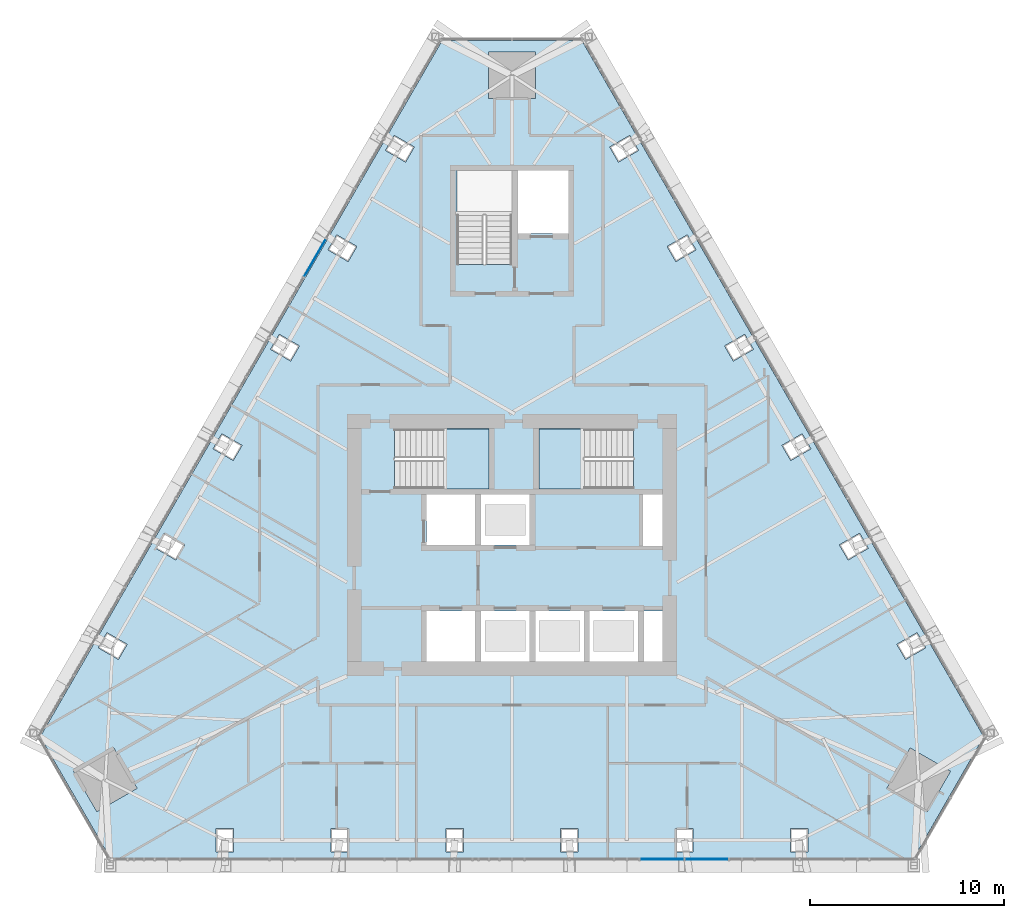
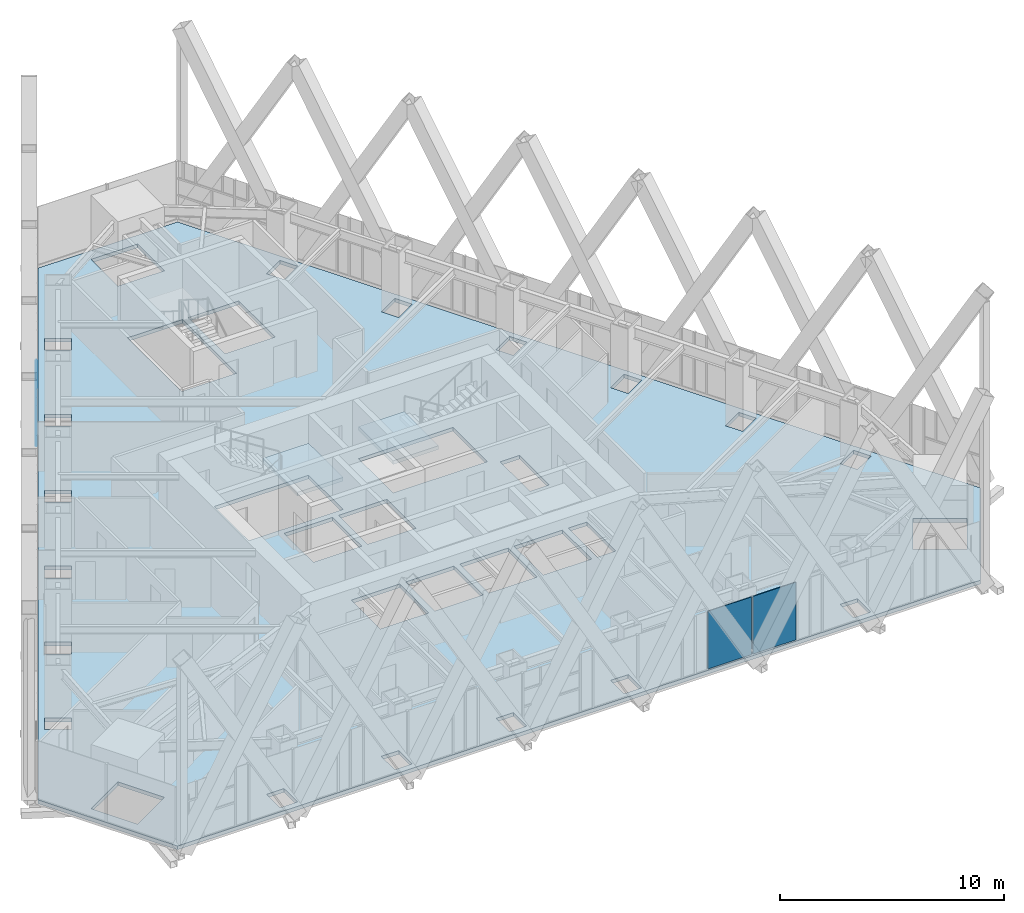
# One storey, part 13 of 23: 3 plates, 3 slabs, 4 elements without a shape of their own.
"""IFC4 building model written with IfcOpenShell, lengths in metres."""

from ifc_helpers import new_model, si_unit, direction, frame, origin, place, context, subcontext, project, spatial, polyline, outline, extrude, material, layer, layer_set, type_object, element, aggregate, save


model = new_model("IFC4")

# Units and contexts
model_context = context("Model", 3, precision=1e-05, world=origin(), true_north=direction((0.0, 1.0)))
body_context = subcontext(model_context, "Body", "Model", "MODEL_VIEW")
ifc_project = project(units=[si_unit("LENGTHUNIT", "METRE"), si_unit("AREAUNIT", "SQUARE_METRE"), si_unit("VOLUMEUNIT", "CUBIC_METRE"), si_unit("PLANEANGLEUNIT", "RADIAN"), si_unit("MASSUNIT", "GRAM", prefix="KILO")], contexts=[model_context])

# Site, building, storey
site_placement = place(None, origin())
site = spatial("IfcSite", under=ifc_project, at=site_placement, CompositionType="ELEMENT")
building_placement = place(site_placement, origin())
building = spatial("IfcBuilding", under=site, at=building_placement, Name="Firuza Gate Tower and Library", CompositionType="ELEMENT")
storey_placement = place(building_placement, frame((0.0, 0.0, 312.60009765625)))
storey = spatial("IfcBuildingStorey", under=building, at=storey_placement, Name="L76", CompositionType="ELEMENT", Elevation=312.60009765625)

# Slab
ifc_material_1 = material(Name="Concrete C40/50", Category="concrete")
ifc_layer_1 = layer(ifc_material_1, 0.199951171875)
ifc_layer_set_1 = layer_set([ifc_layer_1], Name="Composite floor slab 200 C40/50")
slab_type_1 = type_object("IfcSlabType", Name="Composite floor slab 200 C40/50", PredefinedType="FLOOR", material=ifc_layer_set_1)
slab_1_placement = place(storey_placement, frame((0.0, 0.0, -0.2001953125)))
element("IfcSlab", 1, at=slab_1_placement, inside=storey, type_object=slab_type_1, Name="Floor slab L76", PredefinedType="FLOOR", context=body_context, shape_type="SweptSolid", body=[
    extrude(outline(polyline([(50.679931640625, 65.11572265625), (54.280029296875, 58.88037109375), (95.719970703125, 58.88037109375), (99.320068359375, 65.11572265625), (78.60009765625, 101.00390625), (71.39990234375, 101.00390625), (50.679931640625, 65.11572265625)]), holes=[polyline([(59.75, 59.180419921875), (59.75, 60.38037109375), (60.64990234375, 60.38037109375), (60.64990234375, 59.180419921875), (59.75, 59.180419921875)]), polyline([(65.669921875, 59.180419921875), (65.669921875, 60.38037109375), (66.570068359375, 60.38037109375), (66.570068359375, 59.180419921875), (65.669921875, 59.180419921875)]), polyline([(71.590087890625, 59.180419921875), (71.590087890625, 60.38037109375), (72.489990234375, 60.38037109375), (72.489990234375, 59.180419921875), (71.590087890625, 59.180419921875)]), polyline([(52.399658203125, 63.33740234375), (54.47802734375, 64.537353515625), (55.677978515625, 62.458740234375), (53.599609375, 61.2587890625), (52.399658203125, 63.33740234375)]), polyline([(54.124755859375, 70.482421875), (55.1640625, 69.88232421875), (54.714111328125, 69.10302734375), (53.6748046875, 69.702880859375), (54.124755859375, 70.482421875)]), polyline([(73.10009765625, 69.0), (70.60009765625, 69.0), (70.60009765625, 71.60009765625), (73.10009765625, 71.60009765625), (73.10009765625, 69.0)]), polyline([(75.89990234375, 69.0), (73.39990234375, 69.0), (73.39990234375, 71.60009765625), (75.89990234375, 71.60009765625), (75.89990234375, 69.0)]), polyline([(57.084716796875, 75.609130859375), (58.1240234375, 75.00927734375), (57.674072265625, 74.229736328125), (56.634765625, 74.829833984375), (57.084716796875, 75.609130859375)]), polyline([(73.10009765625, 75.0), (70.60009765625, 75.0), (70.60009765625, 77.60009765625), (73.10009765625, 77.60009765625), (73.10009765625, 75.0)]), polyline([(75.89990234375, 75.0), (73.39990234375, 75.0), (73.39990234375, 77.60009765625), (75.89990234375, 77.60009765625), (75.89990234375, 75.0)]), polyline([(68.9404296875, 77.89990234375), (68.9404296875, 80.97998046875), (73.81005859375, 80.97998046875), (73.81005859375, 77.89990234375), (68.9404296875, 77.89990234375)]), polyline([(60.044921875, 80.736083984375), (61.083984375, 80.135986328125), (60.634033203125, 79.356689453125), (59.5947265625, 79.95654296875), (60.044921875, 80.736083984375)]), polyline([(63.0048828125, 85.863037109375), (64.0439453125, 85.262939453125), (63.593994140625, 84.483642578125), (62.5546875, 85.08349609375), (63.0048828125, 85.863037109375)]), polyline([(65.96484375, 90.98974609375), (67.004150390625, 90.389892578125), (66.553955078125, 89.6103515625), (65.514892578125, 90.21044921875), (65.96484375, 90.98974609375)]), polyline([(72.159912109375, 89.470458984375), (72.159912109375, 94.300048828125), (75.0, 94.300048828125), (75.0, 89.470458984375), (72.159912109375, 89.470458984375)]), polyline([(68.9248046875, 96.11669921875), (69.964111328125, 95.5166015625), (69.513916015625, 94.7373046875), (68.474853515625, 95.337158203125), (68.9248046875, 96.11669921875)]), polyline([(76.199951171875, 100.40380859375), (76.199951171875, 98.00390625), (73.800048828125, 98.00390625), (73.800048828125, 100.40380859375), (76.199951171875, 100.40380859375)]), polyline([(77.510009765625, 59.180419921875), (77.510009765625, 60.38037109375), (78.409912109375, 60.38037109375), (78.409912109375, 59.180419921875), (77.510009765625, 59.180419921875)]), polyline([(83.429931640625, 59.180419921875), (83.429931640625, 60.38037109375), (84.330078125, 60.38037109375), (84.330078125, 59.180419921875), (83.429931640625, 59.180419921875)]), polyline([(89.35009765625, 59.180419921875), (89.35009765625, 60.38037109375), (90.25, 60.38037109375), (90.25, 59.180419921875), (89.35009765625, 59.180419921875)]), polyline([(96.400390625, 61.2587890625), (94.322021484375, 62.458740234375), (95.52197265625, 64.537353515625), (97.600341796875, 63.33740234375), (96.400390625, 61.2587890625)]), polyline([(96.3251953125, 69.702880859375), (95.285888671875, 69.10302734375), (94.8359375, 69.88232421875), (95.875244140625, 70.482421875), (96.3251953125, 69.702880859375)]), polyline([(78.699951171875, 69.0), (76.199951171875, 69.0), (76.199951171875, 71.60009765625), (78.699951171875, 71.60009765625), (78.699951171875, 69.0)]), polyline([(81.5, 69.0), (79.0, 69.0), (79.0, 71.60009765625), (81.5, 71.60009765625), (81.5, 69.0)]), polyline([(82.75, 69.0), (81.800048828125, 69.0), (81.800048828125, 71.60009765625), (82.75, 71.60009765625), (82.75, 69.0)]), polyline([(93.365234375, 74.829833984375), (92.325927734375, 74.229736328125), (91.8759765625, 75.00927734375), (92.915283203125, 75.609130859375), (93.365234375, 74.829833984375)]), polyline([(82.75, 74.949951171875), (81.75, 74.949951171875), (81.75, 77.60009765625), (82.75, 77.60009765625), (82.75, 74.949951171875)]), polyline([(81.259521484375, 80.97998046875), (81.259521484375, 77.89990234375), (76.389892578125, 77.89990234375), (76.389892578125, 80.97998046875), (81.259521484375, 80.97998046875)]), polyline([(90.4052734375, 79.95654296875), (89.365966796875, 79.356689453125), (88.916015625, 80.135986328125), (89.955078125, 80.736083984375), (90.4052734375, 79.95654296875)]), polyline([(87.4453125, 85.08349609375), (86.406005859375, 84.483642578125), (85.9560546875, 85.262939453125), (86.9951171875, 85.863037109375), (87.4453125, 85.08349609375)]), polyline([(84.485107421875, 90.21044921875), (83.446044921875, 89.6103515625), (82.995849609375, 90.389892578125), (84.03515625, 90.98974609375), (84.485107421875, 90.21044921875)]), polyline([(75.300048828125, 91.050048828125), (75.300048828125, 94.300048828125), (77.89990234375, 94.300048828125), (77.89990234375, 91.050048828125), (75.300048828125, 91.050048828125)]), polyline([(80.486083984375, 94.7373046875), (80.035888671875, 95.5166015625), (81.0751953125, 96.11669921875), (81.525146484375, 95.337158203125), (80.486083984375, 94.7373046875)])]), origin(), (0.0, 0.0, 1.0), 0.2001953125),
])

# Curtain wall, plates
ifc_material_2 = material(Name="Aluminium 6063-T6", Category="aluminium")
ifc_layer_2 = layer(ifc_material_2, 0.14990234375)
ifc_layer_set_2 = layer_set([ifc_layer_2], Name="Unitised curtain wall, residences")
curtain_wall_type = type_object("IfcCurtainWallType", Name="Unitised curtain wall, residences", PredefinedType="NOTDEFINED", material=ifc_layer_set_2)
placement_1 = place(storey_placement, origin())
curtain_wall_1 = element("IfcCurtainWall", 2, at=placement_1, inside=storey, type_object=curtain_wall_type, Name="CW3 L76 S face", PredefinedType="NOTDEFINED")
ifc_material_3 = material(Name="Glazed ceramic tile")
ifc_layer_3 = layer(ifc_material_3, 0.030029296875)
ifc_layer_set_3 = layer_set([ifc_layer_3], Name="Opaque ceramic panel, residences")
plate_type = type_object("IfcPlateType", Name="Opaque ceramic panel, residences", PredefinedType="CURTAIN_PANEL", material=ifc_layer_set_3)
plate_1_placement = place(storey_placement, frame((81.612548828125, 58.790283203125, 0.14990234375), z_axis=(0.0, -1.0, 0.0), x_axis=(1.0, 0.0, 0.0)))
plate_1 = element("IfcPlate", 3, at=plate_1_placement, type_object=plate_type, Name="Opaque ceramic panel", PredefinedType="CURTAIN_PANEL", context=body_context, shape_type="SweptSolid", body=[
    extrude(outline(polyline([(0.0, 0.0), (2.24609375, 0.0), (2.24609375, 3.14990234375), (0.0, 3.14990234375), (0.0, 0.0)])), origin(), (0.0, 0.0, -1.0), 0.030029296875),
])
plate_2_placement = place(storey_placement, frame((83.9384765625, 58.790283203125, 0.14990234375), z_axis=(0.0, -1.0, 0.0), x_axis=(1.0, 0.0, 0.0)))
plate_2 = element("IfcPlate", 4, at=plate_2_placement, type_object=plate_type, Name="Opaque ceramic panel", PredefinedType="CURTAIN_PANEL", context=body_context, shape_type="SweptSolid", body=[
    extrude(outline(polyline([(0.0, 0.0), (2.208984375, 0.0), (2.208984375, 3.14990234375), (0.0, 3.14990234375), (0.0, 0.0)])), origin(), (0.0, 0.0, -1.0), 0.030029296875),
])
aggregate(curtain_wall_1, [plate_1, plate_2])

# Curtain wall, plate
curtain_wall_2 = element("IfcCurtainWall", 5, at=placement_1, inside=storey, type_object=curtain_wall_type, Name="CW3 L76 W face", PredefinedType="NOTDEFINED")
plate_3_placement = place(storey_placement, frame((65.391357421875, 90.776611328125, 0.14990234375), z_axis=(-0.866013617334, 0.500020414175, 0.0), x_axis=(-0.500020414175, -0.866013617334, 0.0)))
plate_3 = element("IfcPlate", 6, at=plate_3_placement, type_object=plate_type, Name="Opaque ceramic panel", PredefinedType="CURTAIN_PANEL", context=body_context, shape_type="SweptSolid", body=[
    extrude(outline(polyline([(0.0, 0.0), (2.246002049440076, 0.0), (2.246002049440076, 3.14990234375), (0.0, 3.14990234375), (0.0, 0.0)])), origin(), (0.0, 0.0, -1.0), 0.030029296875),
])
aggregate(curtain_wall_2, [plate_3])

# Stair, slab
ifc_material_4 = material(Name="Concrete C35/45", Category="concrete")
stair_type = type_object("IfcStairType", Name="Exit stair ST8", PredefinedType="HALF_TURN_STAIR", material=ifc_material_4)
stair_1 = element("IfcStair", 7, at=placement_1, inside=storey, type_object=stair_type, Name="L76 Stair ST1", PredefinedType="HALF_TURN_STAIR")
ifc_material_5 = material(Name="Concrete C35/45", Category="concrete")
ifc_layer_4 = layer(ifc_material_5, 0.199951171875)
ifc_layer_set_4 = layer_set([ifc_layer_4], Name="Stair landing 200")
slab_type_2 = type_object("IfcSlabType", Name="Stair landing 200", PredefinedType="LANDING", material=ifc_layer_set_4)
placement_2 = place(storey_placement, frame((0.0, 0.0, 1.5498046875)))
slab_2 = element("IfcSlab", 8, at=placement_2, type_object=slab_type_2, Name="ST1 landing 1", PredefinedType="LANDING", context=body_context, shape_type="SweptSolid", body=[
    extrude(outline(polyline([(71.4599609375, 77.89990234375), (73.81005859375, 77.89990234375), (73.81005859375, 80.97998046875), (71.4599609375, 80.97998046875), (71.4599609375, 77.89990234375)])), origin(), (0.0, 0.0, 1.0), 0.2001953125),
])
aggregate(stair_1, [slab_2])

stair_2 = element("IfcStair", 9, at=placement_1, inside=storey, type_object=stair_type, Name="L76 Stair ST2", PredefinedType="HALF_TURN_STAIR")
slab_3 = element("IfcSlab", 10, at=placement_2, type_object=slab_type_2, Name="ST2 landing 1", PredefinedType="LANDING", context=body_context, shape_type="SweptSolid", body=[
    extrude(outline(polyline([(78.739990234375, 80.97998046875), (76.389892578125, 80.97998046875), (76.389892578125, 77.89990234375), (78.739990234375, 77.89990234375), (78.739990234375, 80.97998046875)])), origin(), (0.0, 0.0, 1.0), 0.2001953125),
])
aggregate(stair_2, [slab_3])

save(model, "model.ifc")
